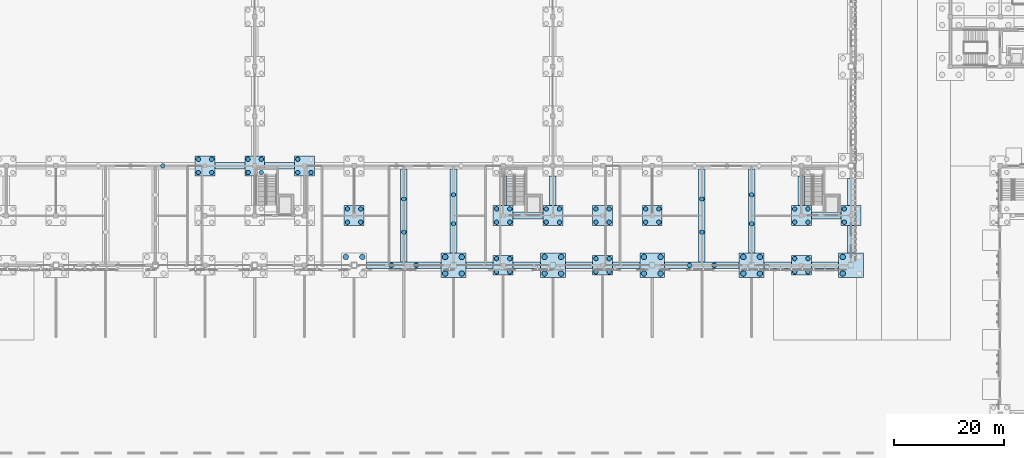
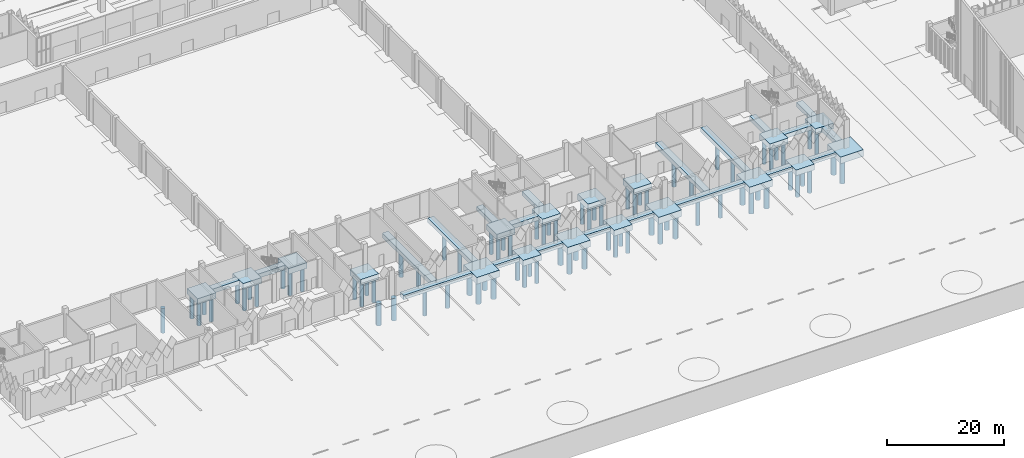
# One storey, part 6 of 198: 82 piles, 39 footings.
"""IFC4 building model written with IfcOpenShell, lengths in metres."""

from ifc_helpers import new_model, si_unit, direction, frame, origin, origin_2d, place, context, subcontext, project, spatial, polyline, circle, outline, extrude, material, layer, layer_set, material_profile, profile_set, type_object, element, save


model = new_model("IFC4")

# Units and contexts
model_context = context("Model", 3, precision=1e-05, world=origin(), true_north=direction((0.0, 1.0)))
body_context = subcontext(model_context, "Body", "Model", "MODEL_VIEW")
ifc_project = project(units=[si_unit("LENGTHUNIT", "METRE"), si_unit("AREAUNIT", "SQUARE_METRE"), si_unit("VOLUMEUNIT", "CUBIC_METRE"), si_unit("PLANEANGLEUNIT", "RADIAN"), si_unit("MASSUNIT", "GRAM", prefix="KILO")], contexts=[model_context])

# Site, building, storey
site_placement = place(None, origin())
site = spatial("IfcSite", under=ifc_project, at=site_placement, CompositionType="ELEMENT")
building_placement = place(site_placement, origin())
building = spatial("IfcBuilding", under=site, at=building_placement, Name="Opaline Strait Convention Centre", CompositionType="ELEMENT")
storey_placement = place(building_placement, origin())
storey = spatial("IfcBuildingStorey", under=building, at=storey_placement, Name="L00", CompositionType="ELEMENT", Elevation=0.0)

# Piles
ifc_material_1 = material(Name="Concrete C35", Category="concrete")
ifc_material_profile_1 = material_profile(ifc_material_1, circle(Radius=0.5, at=origin_2d()), Name="D1000")
ifc_profile_set_1 = profile_set([ifc_material_profile_1], Name="Concrete C35")
pile_type_1 = type_object("IfcPileType", Name="Bored pile D1000 C35", PredefinedType="BORED", material=ifc_profile_set_1)
for number, where, z_axis, x_axis, name in (
    (1, (169.5, 55.5, -1.300048828125), (0.0, 0.0, -1.0), (1.0, 0.0, 0.0), "Bored pile of cap 171/54"),
    (2, (172.5, 55.5, -1.300048828125), (0.0, 0.0, -1.0), (1.0, 0.0, 0.0), "Bored pile of cap 171/54"),
    (3, (187.5, 52.5, -1.300048828125), (0.0, 0.0, -1.0), (1.0, 0.0, 0.0), "Bored pile of cap 189/54"),
    (4, (187.5, 55.5, -1.300048828125), (0.0, 0.0, -1.0), (1.0, 0.0, 0.0), "Bored pile of cap 189/54"),
    (5, (190.5, 52.5, -1.300048828125), (0.0, 0.0, -1.0), (1.0, 0.0, 0.0), "Bored pile of cap 189/54"),
    (6, (190.5, 55.5, -1.300048828125), (0.0, 0.0, -1.0), (1.0, 0.0, 0.0), "Bored pile of cap 189/54"),
    (7, (205.5, 52.5, -1.300048828125), (0.0, 0.0, -1.0), (1.0, 0.0, 0.0), "Bored pile of cap 207/54"),
    (8, (205.5, 55.5, -1.300048828125), (0.0, 0.0, -1.0), (1.0, 0.0, 0.0), "Bored pile of cap 207/54"),
    (9, (208.5, 52.5, -1.300048828125), (0.0, 0.0, -1.0), (1.0, 0.0, 0.0), "Bored pile of cap 207/54"),
    (10, (208.5, 55.5, -1.300048828125), (0.0, 0.0, -1.0), (1.0, 0.0, 0.0), "Bored pile of cap 207/54"),
    (11, (223.5, 52.5, -1.300048828125), (0.0, 0.0, -1.0), (1.0, 0.0, 0.0), "Bored pile of cap 225/54"),
    (12, (223.5, 55.5, -1.300048828125), (0.0, 0.0, -1.0), (1.0, 0.0, 0.0), "Bored pile of cap 225/54"),
    (13, (226.5, 52.5, -1.300048828125), (0.0, 0.0, -1.0), (1.0, 0.0, 0.0), "Bored pile of cap 225/54"),
    (14, (226.5, 55.5, -1.300048828125), (0.0, 0.0, -1.0), (1.0, 0.0, 0.0), "Bored pile of cap 225/54"),
    (15, (241.5, 52.5, -1.300048828125), (0.0, 0.0, -1.0), (1.0, 0.0, 0.0), "Bored pile of cap 243/54"),
    (16, (241.5, 55.5, -1.300048828125), (0.0, 0.0, -1.0), (1.0, 0.0, 0.0), "Bored pile of cap 243/54"),
    (17, (244.5, 52.5, -1.300048828125), (0.0, 0.0, -1.0), (1.0, 0.0, 0.0), "Bored pile of cap 243/54"),
    (18, (244.5, 55.5, -1.300048828125), (0.0, 0.0, -1.0), (1.0, 0.0, 0.0), "Bored pile of cap 243/54"),
    (19, (259.5, 52.5, -1.300048828125), (0.0, 0.0, -1.0), (1.0, 0.0, 0.0), "Bored pile of cap 261/54"),
    (20, (259.5, 55.5, -1.300048828125), (0.0, 0.0, -1.0), (1.0, 0.0, 0.0), "Bored pile of cap 261/54"),
):
    element("IfcPile", number, at=place(storey_placement, frame(where, z_axis=z_axis, x_axis=x_axis)), inside=storey, type_object=pile_type_1, Name=name, PredefinedType="BORED", context=body_context, shape_type="SweptSolid", body=[
        extrude(circle(Radius=0.5, at=origin_2d()), origin(), (0.0, 0.0, 1.0), 4.699951171875),
    ])
ifc_material_profile_2 = material_profile(ifc_material_1, circle(Radius=0.39990234375, at=origin_2d()), Name="D800")
ifc_profile_set_2 = profile_set([ifc_material_profile_2], Name="Concrete C35")
pile_type_2 = type_object("IfcPileType", Name="Bored pile D800 C35", PredefinedType="BORED", material=ifc_profile_set_2)
for number, where, z_axis, x_axis, name in (
    (21, (142.800048828125, 70.800048828125, -1.10009765625), (0.0, 0.0, -1.0), (1.0, 0.0, 0.0), "Bored pile of cap 144/72"),
    (22, (142.800048828125, 73.199951171875, -1.10009765625), (0.0, 0.0, -1.0), (1.0, 0.0, 0.0), "Bored pile of cap 144/72"),
    (23, (145.199951171875, 70.800048828125, -1.10009765625), (0.0, 0.0, -1.0), (1.0, 0.0, 0.0), "Bored pile of cap 144/72"),
    (24, (145.199951171875, 73.199951171875, -1.10009765625), (0.0, 0.0, -1.0), (1.0, 0.0, 0.0), "Bored pile of cap 144/72"),
    (25, (151.800048828125, 70.800048828125, -1.10009765625), (0.0, 0.0, -1.0), (1.0, 0.0, 0.0), "Bored pile of cap 153/72"),
    (26, (151.800048828125, 73.199951171875, -1.10009765625), (0.0, 0.0, -1.0), (1.0, 0.0, 0.0), "Bored pile of cap 153/72"),
    (27, (154.199951171875, 70.800048828125, -1.10009765625), (0.0, 0.0, -1.0), (1.0, 0.0, 0.0), "Bored pile of cap 153/72"),
    (28, (154.199951171875, 73.199951171875, -1.10009765625), (0.0, 0.0, -1.0), (1.0, 0.0, 0.0), "Bored pile of cap 153/72"),
    (29, (160.800048828125, 70.800048828125, -1.10009765625), (0.0, 0.0, -1.0), (1.0, 0.0, 0.0), "Bored pile of cap 162/72"),
    (30, (160.800048828125, 73.199951171875, -1.10009765625), (0.0, 0.0, -1.0), (1.0, 0.0, 0.0), "Bored pile of cap 162/72"),
    (31, (163.199951171875, 70.800048828125, -1.10009765625), (0.0, 0.0, -1.0), (1.0, 0.0, 0.0), "Bored pile of cap 162/72"),
    (32, (169.800048828125, 61.800048828125, -1.10009765625), (0.0, 0.0, -1.0), (1.0, 0.0, 0.0), "Bored pile of cap 171/63"),
    (33, (169.800048828125, 64.199951171875, -1.10009765625), (0.0, 0.0, -1.0), (1.0, 0.0, 0.0), "Bored pile of cap 171/63"),
    (34, (172.199951171875, 61.800048828125, -1.10009765625), (0.0, 0.0, -1.0), (1.0, 0.0, 0.0), "Bored pile of cap 171/63"),
    (35, (172.199951171875, 64.199951171875, -1.10009765625), (0.0, 0.0, -1.0), (1.0, 0.0, 0.0), "Bored pile of cap 171/63"),
    (36, (196.800048828125, 52.800048828125, -1.10009765625), (0.0, 0.0, -1.0), (1.0, 0.0, 0.0), "Bored pile of cap 198/54"),
    (37, (196.800048828125, 55.199951171875, -1.10009765625), (0.0, 0.0, -1.0), (1.0, 0.0, 0.0), "Bored pile of cap 198/54"),
    (38, (199.199951171875, 52.800048828125, -1.10009765625), (0.0, 0.0, -1.0), (1.0, 0.0, 0.0), "Bored pile of cap 198/54"),
    (39, (199.199951171875, 55.199951171875, -1.10009765625), (0.0, 0.0, -1.0), (1.0, 0.0, 0.0), "Bored pile of cap 198/54"),
    (40, (196.800048828125, 61.800048828125, -1.10009765625), (0.0, 0.0, -1.0), (1.0, 0.0, 0.0), "Bored pile of cap 198/63"),
    (41, (196.800048828125, 64.199951171875, -1.10009765625), (0.0, 0.0, -1.0), (1.0, 0.0, 0.0), "Bored pile of cap 198/63"),
    (42, (199.199951171875, 61.800048828125, -1.10009765625), (0.0, 0.0, -1.0), (1.0, 0.0, 0.0), "Bored pile of cap 198/63"),
    (43, (199.199951171875, 64.199951171875, -1.10009765625), (0.0, 0.0, -1.0), (1.0, 0.0, 0.0), "Bored pile of cap 198/63"),
    (44, (205.800048828125, 61.800048828125, -1.10009765625), (0.0, 0.0, -1.0), (1.0, 0.0, 0.0), "Bored pile of cap 207/63"),
    (45, (205.800048828125, 64.199951171875, -1.10009765625), (0.0, 0.0, -1.0), (1.0, 0.0, 0.0), "Bored pile of cap 207/63"),
    (46, (208.199951171875, 61.800048828125, -1.10009765625), (0.0, 0.0, -1.0), (1.0, 0.0, 0.0), "Bored pile of cap 207/63"),
    (47, (208.199951171875, 64.199951171875, -1.10009765625), (0.0, 0.0, -1.0), (1.0, 0.0, 0.0), "Bored pile of cap 207/63"),
    (48, (214.800048828125, 52.800048828125, -1.10009765625), (0.0, 0.0, -1.0), (1.0, 0.0, 0.0), "Bored pile of cap 216/54"),
    (49, (214.800048828125, 55.199951171875, -1.10009765625), (0.0, 0.0, -1.0), (1.0, 0.0, 0.0), "Bored pile of cap 216/54"),
    (50, (217.199951171875, 52.800048828125, -1.10009765625), (0.0, 0.0, -1.0), (1.0, 0.0, 0.0), "Bored pile of cap 216/54"),
    (51, (217.199951171875, 55.199951171875, -1.10009765625), (0.0, 0.0, -1.0), (1.0, 0.0, 0.0), "Bored pile of cap 216/54"),
    (52, (214.800048828125, 61.800048828125, -1.10009765625), (0.0, 0.0, -1.0), (1.0, 0.0, 0.0), "Bored pile of cap 216/63"),
    (53, (214.800048828125, 64.199951171875, -1.10009765625), (0.0, 0.0, -1.0), (1.0, 0.0, 0.0), "Bored pile of cap 216/63"),
    (54, (217.199951171875, 61.800048828125, -1.10009765625), (0.0, 0.0, -1.0), (1.0, 0.0, 0.0), "Bored pile of cap 216/63"),
    (55, (217.199951171875, 64.199951171875, -1.10009765625), (0.0, 0.0, -1.0), (1.0, 0.0, 0.0), "Bored pile of cap 216/63"),
    (56, (223.800048828125, 61.800048828125, -1.10009765625), (0.0, 0.0, -1.0), (1.0, 0.0, 0.0), "Bored pile of cap 225/63"),
    (57, (223.800048828125, 64.199951171875, -1.10009765625), (0.0, 0.0, -1.0), (1.0, 0.0, 0.0), "Bored pile of cap 225/63"),
    (58, (226.199951171875, 61.800048828125, -1.10009765625), (0.0, 0.0, -1.0), (1.0, 0.0, 0.0), "Bored pile of cap 225/63"),
    (59, (226.199951171875, 64.199951171875, -1.10009765625), (0.0, 0.0, -1.0), (1.0, 0.0, 0.0), "Bored pile of cap 225/63"),
    (60, (250.800048828125, 52.800048828125, -1.10009765625), (0.0, 0.0, -1.0), (1.0, 0.0, 0.0), "Bored pile of cap 252/54"),
    (61, (250.800048828125, 55.199951171875, -1.10009765625), (0.0, 0.0, -1.0), (1.0, 0.0, 0.0), "Bored pile of cap 252/54"),
    (62, (253.199951171875, 52.800048828125, -1.10009765625), (0.0, 0.0, -1.0), (1.0, 0.0, 0.0), "Bored pile of cap 252/54"),
    (63, (253.199951171875, 55.199951171875, -1.10009765625), (0.0, 0.0, -1.0), (1.0, 0.0, 0.0), "Bored pile of cap 252/54"),
    (64, (250.800048828125, 61.800048828125, -1.10009765625), (0.0, 0.0, -1.0), (1.0, 0.0, 0.0), "Bored pile of cap 252/63"),
    (65, (250.800048828125, 64.199951171875, -1.10009765625), (0.0, 0.0, -1.0), (1.0, 0.0, 0.0), "Bored pile of cap 252/63"),
    (66, (253.199951171875, 61.800048828125, -1.10009765625), (0.0, 0.0, -1.0), (1.0, 0.0, 0.0), "Bored pile of cap 252/63"),
    (67, (253.199951171875, 64.199951171875, -1.10009765625), (0.0, 0.0, -1.0), (1.0, 0.0, 0.0), "Bored pile of cap 252/63"),
    (68, (259.800048828125, 61.800048828125, -1.10009765625), (0.0, 0.0, -1.0), (1.0, 0.0, 0.0), "Bored pile of cap 261/63"),
    (69, (259.800048828125, 64.199951171875, -1.10009765625), (0.0, 0.0, -1.0), (1.0, 0.0, 0.0), "Bored pile of cap 261/63"),
):
    element("IfcPile", number, at=place(storey_placement, frame(where, z_axis=z_axis, x_axis=x_axis)), inside=storey, type_object=pile_type_2, Name=name, PredefinedType="BORED", context=body_context, shape_type="SweptSolid", body=[
        extrude(circle(Radius=0.39990234375, at=origin_2d()), origin(), (0.0, 0.0, 1.0), 4.89990234375),
    ])
for number, where, z_axis, x_axis, name in (
    (70, (177.75, 54.0, -0.800048828125), (0.0, 0.0, -1.0), (1.0, 0.0, 0.0), "Bored pile under pile cap beam 8"),
    (71, (182.25, 54.0, -0.800048828125), (0.0, 0.0, -1.0), (1.0, 0.0, 0.0), "Bored pile under pile cap beam 8"),
    (72, (231.75, 54.0, -0.800048828125), (0.0, 0.0, -1.0), (1.0, 0.0, 0.0), "Bored pile under pile cap beam 13"),
    (73, (236.25, 54.0, -0.800048828125), (0.0, 0.0, -1.0), (1.0, 0.0, 0.0), "Bored pile under pile cap beam 13"),
    (74, (136.35009765625, 72.0, -0.800048828125), (0.0, 0.0, -1.0), (1.0, 0.0, 0.0), "Bored pile under pile cap beam 55"),
    (75, (180.0, 60.0, -0.800048828125), (0.0, 0.0, -1.0), (1.0, 0.0, 0.0), "Bored pile under pile cap beam 73"),
    (76, (180.0, 66.0, -0.800048828125), (0.0, 0.0, -1.0), (1.0, 0.0, 0.0), "Bored pile under pile cap beam 73"),
    (77, (189.0, 61.5, -0.800048828125), (0.0, 0.0, -1.0), (1.0, 0.0, 0.0), "Bored pile under pile cap beam 74"),
    (78, (189.0, 66.75, -0.800048828125), (0.0, 0.0, -1.0), (1.0, 0.0, 0.0), "Bored pile under pile cap beam 74"),
    (79, (234.0, 60.0, -0.800048828125), (0.0, 0.0, -1.0), (1.0, 0.0, 0.0), "Bored pile under pile cap beam 75"),
    (80, (234.0, 66.0, -0.800048828125), (0.0, 0.0, -1.0), (1.0, 0.0, 0.0), "Bored pile under pile cap beam 75"),
    (81, (243.0, 61.5, -0.800048828125), (0.0, 0.0, -1.0), (1.0, 0.0, 0.0), "Bored pile under pile cap beam 76"),
    (82, (243.0, 66.75, -0.800048828125), (0.0, 0.0, -1.0), (1.0, 0.0, 0.0), "Bored pile under pile cap beam 76"),
):
    element("IfcPile", number, at=place(storey_placement, frame(where, z_axis=z_axis, x_axis=x_axis)), inside=storey, type_object=pile_type_2, Name=name, PredefinedType="BORED", context=body_context, shape_type="SweptSolid", body=[
        extrude(circle(Radius=0.39990234375, at=origin_2d()), origin(), (0.0, 0.0, 1.0), 5.199951171875),
    ])

# Footings
footing_type_1 = type_object("IfcFootingType", Name="Ground beam 1200 x 900 C35", PredefinedType="FOOTING_BEAM", material=ifc_material_1)
footing_1_placement = place(storey_placement, frame((0.0, 0.0, -0.89990234375)))
element("IfcFooting", 83, at=footing_1_placement, inside=storey, type_object=footing_type_1, Name="Ground beam 9 on the y = 54 line", PredefinedType="FOOTING_BEAM", context=body_context, shape_type="SweptSolid", body=[
    extrude(outline(polyline([(191.25, 53.39990234375), (196.199951171875, 53.39990234375), (196.199951171875, 54.60009765625), (191.25, 54.60009765625), (191.25, 53.39990234375)])), origin(), (0.0, 0.0, 1.0), 0.89990234375),
])
footing_2_placement = place(storey_placement, frame((0.0, 0.0, -0.89990234375)))
element("IfcFooting", 84, at=footing_2_placement, inside=storey, type_object=footing_type_1, Name="Ground beam 10 on the y = 54 line", PredefinedType="FOOTING_BEAM", context=body_context, shape_type="SweptSolid", body=[
    extrude(outline(polyline([(199.800048828125, 53.39990234375), (204.75, 53.39990234375), (204.75, 54.60009765625), (199.800048828125, 54.60009765625), (199.800048828125, 53.39990234375)])), origin(), (0.0, 0.0, 1.0), 0.89990234375),
])
footing_3_placement = place(storey_placement, frame((0.0, 0.0, -0.89990234375)))
element("IfcFooting", 85, at=footing_3_placement, inside=storey, type_object=footing_type_1, Name="Ground beam 11 on the y = 54 line", PredefinedType="FOOTING_BEAM", context=body_context, shape_type="SweptSolid", body=[
    extrude(outline(polyline([(209.25, 53.39990234375), (214.199951171875, 53.39990234375), (214.199951171875, 54.60009765625), (209.25, 54.60009765625), (209.25, 53.39990234375)])), origin(), (0.0, 0.0, 1.0), 0.89990234375),
])
footing_4_placement = place(storey_placement, frame((0.0, 0.0, -0.89990234375)))
element("IfcFooting", 86, at=footing_4_placement, inside=storey, type_object=footing_type_1, Name="Ground beam 12 on the y = 54 line", PredefinedType="FOOTING_BEAM", context=body_context, shape_type="SweptSolid", body=[
    extrude(outline(polyline([(217.800048828125, 53.39990234375), (222.75, 53.39990234375), (222.75, 54.60009765625), (217.800048828125, 54.60009765625), (217.800048828125, 53.39990234375)])), origin(), (0.0, 0.0, 1.0), 0.89990234375),
])
footing_5_placement = place(storey_placement, frame((0.0, 0.0, -0.89990234375)))
element("IfcFooting", 87, at=footing_5_placement, inside=storey, type_object=footing_type_1, Name="Ground beam 14 on the y = 54 line", PredefinedType="FOOTING_BEAM", context=body_context, shape_type="SweptSolid", body=[
    extrude(outline(polyline([(245.25, 53.39990234375), (250.199951171875, 53.39990234375), (250.199951171875, 54.60009765625), (245.25, 54.60009765625), (245.25, 53.39990234375)])), origin(), (0.0, 0.0, 1.0), 0.89990234375),
])
footing_6_placement = place(storey_placement, frame((0.0, 0.0, -0.89990234375)))
element("IfcFooting", 88, at=footing_6_placement, inside=storey, type_object=footing_type_1, Name="Ground beam 15 on the y = 54 line", PredefinedType="FOOTING_BEAM", context=body_context, shape_type="SweptSolid", body=[
    extrude(outline(polyline([(253.800048828125, 53.39990234375), (258.75, 53.39990234375), (258.75, 54.60009765625), (253.800048828125, 54.60009765625), (253.800048828125, 53.39990234375)])), origin(), (0.0, 0.0, 1.0), 0.89990234375),
])
footing_7_placement = place(storey_placement, frame((0.0, 0.0, -0.89990234375)))
element("IfcFooting", 89, at=footing_7_placement, inside=storey, type_object=footing_type_1, Name="Ground beam 32 on the x = 261 line", PredefinedType="FOOTING_BEAM", context=body_context, shape_type="SweptSolid", body=[
    extrude(outline(polyline([(260.39990234375, 56.25), (261.60009765625, 56.25), (261.60009765625, 61.199951171875), (260.39990234375, 61.199951171875), (260.39990234375, 56.25)])), origin(), (0.0, 0.0, 1.0), 0.89990234375),
])
footing_8_placement = place(storey_placement, frame((0.0, 0.0, -0.89990234375)))
element("IfcFooting", 90, at=footing_8_placement, inside=storey, type_object=footing_type_1, Name="Ground beam 33 on the x = 261 line", PredefinedType="FOOTING_BEAM", context=body_context, shape_type="SweptSolid", body=[
    extrude(outline(polyline([(260.39990234375, 64.800048828125), (261.60009765625, 64.800048828125), (261.60009765625, 69.75), (260.39990234375, 69.75), (260.39990234375, 64.800048828125)])), origin(), (0.0, 0.0, 1.0), 0.89990234375),
])
footing_9_placement = place(storey_placement, frame((0.0, 0.0, -0.89990234375)))
element("IfcFooting", 91, at=footing_9_placement, inside=storey, type_object=footing_type_1, Name="Ground beam 56 on the y = 72 line", PredefinedType="FOOTING_BEAM", context=body_context, shape_type="SweptSolid", body=[
    extrude(outline(polyline([(145.800048828125, 71.39990234375), (151.199951171875, 71.39990234375), (151.199951171875, 72.60009765625), (145.800048828125, 72.60009765625), (145.800048828125, 71.39990234375)])), origin(), (0.0, 0.0, 1.0), 0.89990234375),
])
footing_10_placement = place(storey_placement, frame((0.0, 0.0, -0.89990234375)))
element("IfcFooting", 92, at=footing_10_placement, inside=storey, type_object=footing_type_1, Name="Ground beam 57 on the y = 72 line", PredefinedType="FOOTING_BEAM", context=body_context, shape_type="SweptSolid", body=[
    extrude(outline(polyline([(154.800048828125, 71.39990234375), (160.199951171875, 71.39990234375), (160.199951171875, 72.60009765625), (154.800048828125, 72.60009765625), (154.800048828125, 71.39990234375)])), origin(), (0.0, 0.0, 1.0), 0.89990234375),
])
footing_11_placement = place(storey_placement, frame((0.0, 0.0, -0.89990234375)))
element("IfcFooting", 93, at=footing_11_placement, inside=storey, type_object=footing_type_1, Name="Ground beam 82 on the y = 63 line", PredefinedType="FOOTING_BEAM", context=body_context, shape_type="SweptSolid", body=[
    extrude(outline(polyline([(199.800048828125, 62.39990234375), (205.199951171875, 62.39990234375), (205.199951171875, 63.60009765625), (199.800048828125, 63.60009765625), (199.800048828125, 62.39990234375)])), origin(), (0.0, 0.0, 1.0), 0.89990234375),
])
footing_12_placement = place(storey_placement, frame((0.0, 0.0, -0.89990234375)))
element("IfcFooting", 94, at=footing_12_placement, inside=storey, type_object=footing_type_1, Name="Ground beam 83 on the x = 198 line", PredefinedType="FOOTING_BEAM", context=body_context, shape_type="SweptSolid", body=[
    extrude(outline(polyline([(197.39990234375, 64.800048828125), (198.60009765625, 64.800048828125), (198.60009765625, 70.199951171875), (197.39990234375, 70.199951171875), (197.39990234375, 64.800048828125)])), origin(), (0.0, 0.0, 1.0), 0.89990234375),
])
footing_13_placement = place(storey_placement, frame((0.0, 0.0, -0.89990234375)))
element("IfcFooting", 95, at=footing_13_placement, inside=storey, type_object=footing_type_1, Name="Ground beam 84 on the x = 207 line", PredefinedType="FOOTING_BEAM", context=body_context, shape_type="SweptSolid", body=[
    extrude(outline(polyline([(206.39990234375, 64.800048828125), (207.60009765625, 64.800048828125), (207.60009765625, 70.199951171875), (206.39990234375, 70.199951171875), (206.39990234375, 64.800048828125)])), origin(), (0.0, 0.0, 1.0), 0.89990234375),
])
footing_14_placement = place(storey_placement, frame((0.0, 0.0, -0.89990234375)))
element("IfcFooting", 96, at=footing_14_placement, inside=storey, type_object=footing_type_1, Name="Ground beam 85 on the y = 63 line", PredefinedType="FOOTING_BEAM", context=body_context, shape_type="SweptSolid", body=[
    extrude(outline(polyline([(253.800048828125, 62.39990234375), (259.199951171875, 62.39990234375), (259.199951171875, 63.60009765625), (253.800048828125, 63.60009765625), (253.800048828125, 62.39990234375)])), origin(), (0.0, 0.0, 1.0), 0.89990234375),
])
footing_15_placement = place(storey_placement, frame((0.0, 0.0, -0.89990234375)))
element("IfcFooting", 97, at=footing_15_placement, inside=storey, type_object=footing_type_1, Name="Ground beam 86 on the x = 252 line", PredefinedType="FOOTING_BEAM", context=body_context, shape_type="SweptSolid", body=[
    extrude(outline(polyline([(251.39990234375, 64.800048828125), (252.60009765625, 64.800048828125), (252.60009765625, 70.199951171875), (251.39990234375, 70.199951171875), (251.39990234375, 64.800048828125)])), origin(), (0.0, 0.0, 1.0), 0.89990234375),
])
ifc_material_2 = material(Name="Concrete C40", Category="concrete")
ifc_layer_1 = layer(ifc_material_2, 1.199951171875)
ifc_layer_set_1 = layer_set([ifc_layer_1], Name="Concrete C40")
footing_type_2 = type_object("IfcFootingType", Name="Pile cap 3600 x 3600 x 1200 C40", PredefinedType="PILE_CAP", material=ifc_layer_set_1)
footing_16_placement = place(storey_placement, frame((0.0, 0.0, -1.199951171875)))
element("IfcFooting", 98, at=footing_16_placement, inside=storey, type_object=footing_type_2, Name="Column pile cap at 144/72", PredefinedType="PILE_CAP", context=body_context, shape_type="SweptSolid", body=[
    extrude(outline(polyline([(142.199951171875, 70.199951171875), (145.800048828125, 70.199951171875), (145.800048828125, 73.800048828125), (142.199951171875, 73.800048828125), (142.199951171875, 70.199951171875)])), origin(), (0.0, 0.0, 1.0), 1.199951171875),
])
footing_17_placement = place(storey_placement, frame((0.0, 0.0, -1.199951171875)))
element("IfcFooting", 99, at=footing_17_placement, inside=storey, type_object=footing_type_2, Name="Column pile cap at 153/72", PredefinedType="PILE_CAP", context=body_context, shape_type="SweptSolid", body=[
    extrude(outline(polyline([(151.199951171875, 70.199951171875), (154.800048828125, 70.199951171875), (154.800048828125, 73.800048828125), (151.199951171875, 73.800048828125), (151.199951171875, 70.199951171875)])), origin(), (0.0, 0.0, 1.0), 1.199951171875),
])
footing_18_placement = place(storey_placement, frame((0.0, 0.0, -1.199951171875)))
element("IfcFooting", 100, at=footing_18_placement, inside=storey, type_object=footing_type_2, Name="Column pile cap at 162/72", PredefinedType="PILE_CAP", context=body_context, shape_type="SweptSolid", body=[
    extrude(outline(polyline([(160.199951171875, 70.199951171875), (163.800048828125, 70.199951171875), (163.800048828125, 73.800048828125), (160.199951171875, 73.800048828125), (160.199951171875, 70.199951171875)])), origin(), (0.0, 0.0, 1.0), 1.199951171875),
])
footing_19_placement = place(storey_placement, frame((0.0, 0.0, -1.199951171875)))
element("IfcFooting", 101, at=footing_19_placement, inside=storey, type_object=footing_type_2, Name="Column pile cap at 171/63", PredefinedType="PILE_CAP", context=body_context, shape_type="SweptSolid", body=[
    extrude(outline(polyline([(169.199951171875, 61.199951171875), (172.800048828125, 61.199951171875), (172.800048828125, 64.800048828125), (169.199951171875, 64.800048828125), (169.199951171875, 61.199951171875)])), origin(), (0.0, 0.0, 1.0), 1.199951171875),
])
footing_20_placement = place(storey_placement, frame((0.0, 0.0, -1.199951171875)))
element("IfcFooting", 102, at=footing_20_placement, inside=storey, type_object=footing_type_2, Name="Column pile cap at 198/54", PredefinedType="PILE_CAP", context=body_context, shape_type="SweptSolid", body=[
    extrude(outline(polyline([(196.199951171875, 52.199951171875), (199.800048828125, 52.199951171875), (199.800048828125, 55.800048828125), (196.199951171875, 55.800048828125), (196.199951171875, 52.199951171875)])), origin(), (0.0, 0.0, 1.0), 1.199951171875),
])
footing_21_placement = place(storey_placement, frame((0.0, 0.0, -1.199951171875)))
element("IfcFooting", 103, at=footing_21_placement, inside=storey, type_object=footing_type_2, Name="Column pile cap at 198/63", PredefinedType="PILE_CAP", context=body_context, shape_type="SweptSolid", body=[
    extrude(outline(polyline([(196.199951171875, 61.199951171875), (199.800048828125, 61.199951171875), (199.800048828125, 64.800048828125), (196.199951171875, 64.800048828125), (196.199951171875, 61.199951171875)])), origin(), (0.0, 0.0, 1.0), 1.199951171875),
])
footing_22_placement = place(storey_placement, frame((0.0, 0.0, -1.199951171875)))
element("IfcFooting", 104, at=footing_22_placement, inside=storey, type_object=footing_type_2, Name="Column pile cap at 207/63", PredefinedType="PILE_CAP", context=body_context, shape_type="SweptSolid", body=[
    extrude(outline(polyline([(205.199951171875, 61.199951171875), (208.800048828125, 61.199951171875), (208.800048828125, 64.800048828125), (205.199951171875, 64.800048828125), (205.199951171875, 61.199951171875)])), origin(), (0.0, 0.0, 1.0), 1.199951171875),
])
footing_23_placement = place(storey_placement, frame((0.0, 0.0, -1.199951171875)))
element("IfcFooting", 105, at=footing_23_placement, inside=storey, type_object=footing_type_2, Name="Column pile cap at 216/54", PredefinedType="PILE_CAP", context=body_context, shape_type="SweptSolid", body=[
    extrude(outline(polyline([(214.199951171875, 52.199951171875), (217.800048828125, 52.199951171875), (217.800048828125, 55.800048828125), (214.199951171875, 55.800048828125), (214.199951171875, 52.199951171875)])), origin(), (0.0, 0.0, 1.0), 1.199951171875),
])
footing_24_placement = place(storey_placement, frame((0.0, 0.0, -1.199951171875)))
element("IfcFooting", 106, at=footing_24_placement, inside=storey, type_object=footing_type_2, Name="Column pile cap at 216/63", PredefinedType="PILE_CAP", context=body_context, shape_type="SweptSolid", body=[
    extrude(outline(polyline([(214.199951171875, 61.199951171875), (217.800048828125, 61.199951171875), (217.800048828125, 64.800048828125), (214.199951171875, 64.800048828125), (214.199951171875, 61.199951171875)])), origin(), (0.0, 0.0, 1.0), 1.199951171875),
])
footing_25_placement = place(storey_placement, frame((0.0, 0.0, -1.199951171875)))
element("IfcFooting", 107, at=footing_25_placement, inside=storey, type_object=footing_type_2, Name="Column pile cap at 225/63", PredefinedType="PILE_CAP", context=body_context, shape_type="SweptSolid", body=[
    extrude(outline(polyline([(223.199951171875, 61.199951171875), (226.800048828125, 61.199951171875), (226.800048828125, 64.800048828125), (223.199951171875, 64.800048828125), (223.199951171875, 61.199951171875)])), origin(), (0.0, 0.0, 1.0), 1.199951171875),
])
footing_26_placement = place(storey_placement, frame((0.0, 0.0, -1.199951171875)))
element("IfcFooting", 108, at=footing_26_placement, inside=storey, type_object=footing_type_2, Name="Column pile cap at 252/54", PredefinedType="PILE_CAP", context=body_context, shape_type="SweptSolid", body=[
    extrude(outline(polyline([(250.199951171875, 52.199951171875), (253.800048828125, 52.199951171875), (253.800048828125, 55.800048828125), (250.199951171875, 55.800048828125), (250.199951171875, 52.199951171875)])), origin(), (0.0, 0.0, 1.0), 1.199951171875),
])
footing_27_placement = place(storey_placement, frame((0.0, 0.0, -1.199951171875)))
element("IfcFooting", 109, at=footing_27_placement, inside=storey, type_object=footing_type_2, Name="Column pile cap at 252/63", PredefinedType="PILE_CAP", context=body_context, shape_type="SweptSolid", body=[
    extrude(outline(polyline([(250.199951171875, 61.199951171875), (253.800048828125, 61.199951171875), (253.800048828125, 64.800048828125), (250.199951171875, 64.800048828125), (250.199951171875, 61.199951171875)])), origin(), (0.0, 0.0, 1.0), 1.199951171875),
])
footing_28_placement = place(storey_placement, frame((0.0, 0.0, -1.199951171875)))
element("IfcFooting", 110, at=footing_28_placement, inside=storey, type_object=footing_type_2, Name="Column pile cap at 261/63", PredefinedType="PILE_CAP", context=body_context, shape_type="SweptSolid", body=[
    extrude(outline(polyline([(259.199951171875, 61.199951171875), (262.800048828125, 61.199951171875), (262.800048828125, 64.800048828125), (259.199951171875, 64.800048828125), (259.199951171875, 61.199951171875)])), origin(), (0.0, 0.0, 1.0), 1.199951171875),
])
ifc_layer_2 = layer(ifc_material_2, 1.39990234375)
ifc_layer_set_2 = layer_set([ifc_layer_2], Name="Concrete C40")
footing_type_3 = type_object("IfcFootingType", Name="Pile cap 4500 x 4500 x 1400 C40", PredefinedType="PILE_CAP", material=ifc_layer_set_2)
footing_29_placement = place(storey_placement, frame((0.0, 0.0, -1.39990234375)))
element("IfcFooting", 111, at=footing_29_placement, inside=storey, type_object=footing_type_3, Name="Roof column pile cap at 189/54", PredefinedType="PILE_CAP", context=body_context, shape_type="SweptSolid", body=[
    extrude(outline(polyline([(186.75, 51.75), (191.25, 51.75), (191.25, 56.25), (186.75, 56.25), (186.75, 51.75)])), origin(), (0.0, 0.0, 1.0), 1.39990234375),
])
footing_30_placement = place(storey_placement, frame((0.0, 0.0, -1.39990234375)))
element("IfcFooting", 112, at=footing_30_placement, inside=storey, type_object=footing_type_3, Name="Roof column pile cap at 207/54", PredefinedType="PILE_CAP", context=body_context, shape_type="SweptSolid", body=[
    extrude(outline(polyline([(204.75, 51.75), (209.25, 51.75), (209.25, 56.25), (204.75, 56.25), (204.75, 51.75)])), origin(), (0.0, 0.0, 1.0), 1.39990234375),
])
footing_31_placement = place(storey_placement, frame((0.0, 0.0, -1.39990234375)))
element("IfcFooting", 113, at=footing_31_placement, inside=storey, type_object=footing_type_3, Name="Roof column pile cap at 225/54", PredefinedType="PILE_CAP", context=body_context, shape_type="SweptSolid", body=[
    extrude(outline(polyline([(222.75, 51.75), (227.25, 51.75), (227.25, 56.25), (222.75, 56.25), (222.75, 51.75)])), origin(), (0.0, 0.0, 1.0), 1.39990234375),
])
footing_32_placement = place(storey_placement, frame((0.0, 0.0, -1.39990234375)))
element("IfcFooting", 114, at=footing_32_placement, inside=storey, type_object=footing_type_3, Name="Roof column pile cap at 243/54", PredefinedType="PILE_CAP", context=body_context, shape_type="SweptSolid", body=[
    extrude(outline(polyline([(240.75, 51.75), (245.25, 51.75), (245.25, 56.25), (240.75, 56.25), (240.75, 51.75)])), origin(), (0.0, 0.0, 1.0), 1.39990234375),
])
footing_33_placement = place(storey_placement, frame((0.0, 0.0, -1.39990234375)))
element("IfcFooting", 115, at=footing_33_placement, inside=storey, type_object=footing_type_3, Name="Roof column pile cap at 261/54", PredefinedType="PILE_CAP", context=body_context, shape_type="SweptSolid", body=[
    extrude(outline(polyline([(258.75, 51.75), (263.25, 51.75), (263.25, 56.25), (258.75, 56.25), (258.75, 51.75)])), origin(), (0.0, 0.0, 1.0), 1.39990234375),
])
footing_type_4 = type_object("IfcFootingType", Name="Pile cap beam 1200 x 900 C40", PredefinedType="PILE_CAP", material=ifc_material_2)
footing_34_placement = place(storey_placement, frame((0.0, 0.0, -0.89990234375)))
element("IfcFooting", 116, at=footing_34_placement, inside=storey, type_object=footing_type_4, Name="Pile cap beam 8 on the y = 54 line", PredefinedType="PILE_CAP", context=body_context, shape_type="SweptSolid", body=[
    extrude(outline(polyline([(173.25, 53.39990234375), (186.75, 53.39990234375), (186.75, 54.60009765625), (173.25, 54.60009765625), (173.25, 53.39990234375)])), origin(), (0.0, 0.0, 1.0), 0.89990234375),
])
footing_35_placement = place(storey_placement, frame((0.0, 0.0, -0.89990234375)))
element("IfcFooting", 117, at=footing_35_placement, inside=storey, type_object=footing_type_4, Name="Pile cap beam 13 on the y = 54 line", PredefinedType="PILE_CAP", context=body_context, shape_type="SweptSolid", body=[
    extrude(outline(polyline([(227.25, 53.39990234375), (240.75, 53.39990234375), (240.75, 54.60009765625), (227.25, 54.60009765625), (227.25, 53.39990234375)])), origin(), (0.0, 0.0, 1.0), 0.89990234375),
])
footing_36_placement = place(storey_placement, frame((0.0, 0.0, -0.89990234375)))
element("IfcFooting", 118, at=footing_36_placement, inside=storey, type_object=footing_type_4, Name="Pile cap beam 73 on the x = 180 line", PredefinedType="PILE_CAP", context=body_context, shape_type="SweptSolid", body=[
    extrude(outline(polyline([(179.39990234375, 54.60009765625), (180.60009765625, 54.60009765625), (180.60009765625, 71.39990234375), (179.39990234375, 71.39990234375), (179.39990234375, 54.60009765625)])), origin(), (0.0, 0.0, 1.0), 0.89990234375),
])
footing_37_placement = place(storey_placement, frame((0.0, 0.0, -0.89990234375)))
element("IfcFooting", 119, at=footing_37_placement, inside=storey, type_object=footing_type_4, Name="Pile cap beam 74 on the x = 189 line", PredefinedType="PILE_CAP", context=body_context, shape_type="SweptSolid", body=[
    extrude(outline(polyline([(188.39990234375, 56.25), (189.60009765625, 56.25), (189.60009765625, 71.39990234375), (188.39990234375, 71.39990234375), (188.39990234375, 56.25)])), origin(), (0.0, 0.0, 1.0), 0.89990234375),
])
footing_38_placement = place(storey_placement, frame((0.0, 0.0, -0.89990234375)))
element("IfcFooting", 120, at=footing_38_placement, inside=storey, type_object=footing_type_4, Name="Pile cap beam 75 on the x = 234 line", PredefinedType="PILE_CAP", context=body_context, shape_type="SweptSolid", body=[
    extrude(outline(polyline([(233.39990234375, 54.60009765625), (234.60009765625, 54.60009765625), (234.60009765625, 71.39990234375), (233.39990234375, 71.39990234375), (233.39990234375, 54.60009765625)])), origin(), (0.0, 0.0, 1.0), 0.89990234375),
])
footing_39_placement = place(storey_placement, frame((0.0, 0.0, -0.89990234375)))
element("IfcFooting", 121, at=footing_39_placement, inside=storey, type_object=footing_type_4, Name="Pile cap beam 76 on the x = 243 line", PredefinedType="PILE_CAP", context=body_context, shape_type="SweptSolid", body=[
    extrude(outline(polyline([(242.39990234375, 56.25), (243.60009765625, 56.25), (243.60009765625, 71.39990234375), (242.39990234375, 71.39990234375), (242.39990234375, 56.25)])), origin(), (0.0, 0.0, 1.0), 0.89990234375),
])

save(model, "model.ifc")
